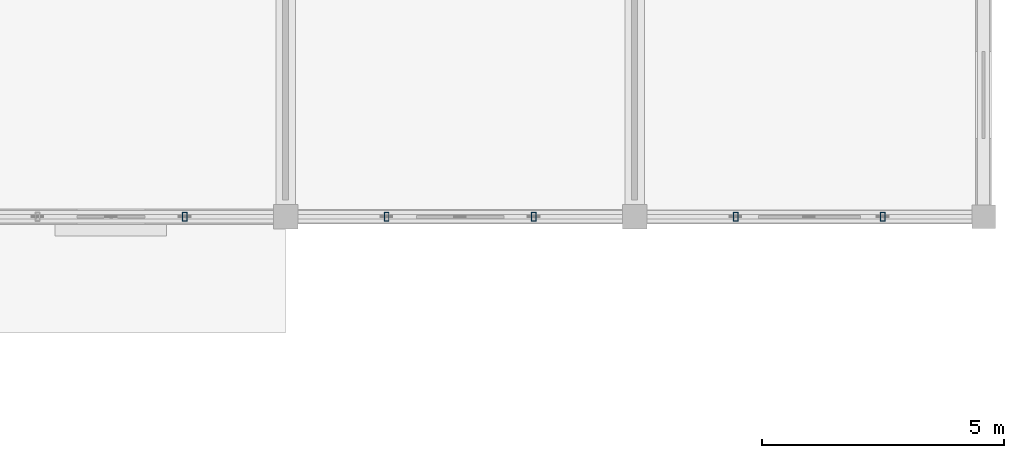
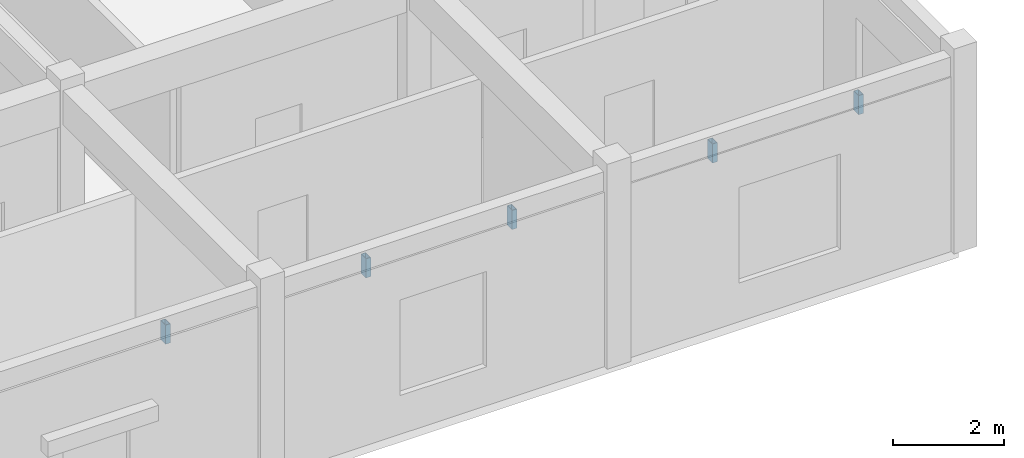
# One storey, part 41 of 138: 5 members.
"""IFC4 building model written with IfcOpenShell, lengths in metres."""

from ifc_helpers import new_model, si_unit, direction, frame, origin, origin_2d, place, context, subcontext, project, spatial, hollow_rectangle, extrude, material, material_profile, profile_set, type_object, element, save


model = new_model("IFC4")

# Units and contexts
model_context = context("Model", 3, precision=1e-05, world=origin(), true_north=direction((0.0, 1.0)))
body_context = subcontext(model_context, "Body", "Model", "MODEL_VIEW")
ifc_project = project(units=[si_unit("LENGTHUNIT", "METRE"), si_unit("AREAUNIT", "SQUARE_METRE"), si_unit("VOLUMEUNIT", "CUBIC_METRE"), si_unit("PLANEANGLEUNIT", "RADIAN"), si_unit("MASSUNIT", "GRAM", prefix="KILO"), si_unit("THERMODYNAMICTEMPERATUREUNIT", "KELVIN"), si_unit("POWERUNIT", "WATT")], contexts=[model_context])

# Site, building, storey
site_placement = place(None, origin())
site = spatial("IfcSite", under=ifc_project, at=site_placement, CompositionType="ELEMENT")
building_placement = place(site_placement, origin())
building = spatial("IfcBuilding", under=site, at=building_placement, Name="Tavuni Mirador Residences", CompositionType="ELEMENT")
storey_placement = place(building_placement, origin())
storey = spatial("IfcBuildingStorey", under=building, at=storey_placement, Name="L00", CompositionType="ELEMENT", Elevation=0.0)

# Members
ifc_material = material(Name="Structural steel S355", Category="steel")
ifc_material_profile = material_profile(ifc_material, hollow_rectangle(XDim=0.10009765625, YDim=0.179931640625, WallThickness=0.008056640625, at=origin_2d()), Name="RHS 180x100x8.0", Category="steel")
ifc_profile_set = profile_set([ifc_material_profile], Name="Structural steel S355")
member_type = type_object("IfcMemberType", Name="MT-BR-RHS180", PredefinedType="BRACE", material=ifc_profile_set)
for number, where, z_axis, x_axis, name in (
    (1, (102.318115234375, 43.199951171875, 3.6298828125), (0.0, 0.0, 1.0), (1.0, 0.0, 0.0), "ARCH-NURS-S-01-V2"),
    (2, (106.48193359375, 43.199951171875, 3.6298828125), (0.0, 0.0, 1.0), (1.0, 0.0, 0.0), "ARCH-NURS-S-02-V1"),
    (3, (109.51806640625, 43.199951171875, 3.6298828125), (0.0, 0.0, 1.0), (1.0, 0.0, 0.0), "ARCH-NURS-S-02-V2"),
    (4, (113.681884765625, 43.199951171875, 3.6298828125), (0.0, 0.0, 1.0), (1.0, 0.0, 0.0), "ARCH-NURS-S-03-V1"),
    (5, (116.718017578125, 43.199951171875, 3.6298828125), (0.0, 0.0, 1.0), (1.0, 0.0, 0.0), "ARCH-NURS-S-03-V2"),
):
    element("IfcMember", number, at=place(storey_placement, frame(where, z_axis=z_axis, x_axis=x_axis)), inside=storey, type_object=member_type, Name=name, PredefinedType="BRACE", context=body_context, shape_type="SweptSolid", body=[
        extrude(hollow_rectangle(XDim=0.10009765625, YDim=0.179931640625, WallThickness=0.008056640625, at=origin_2d()), origin(), (0.0, 0.0, 1.0), 0.420166015625),
    ])

save(model, "model.ifc")
